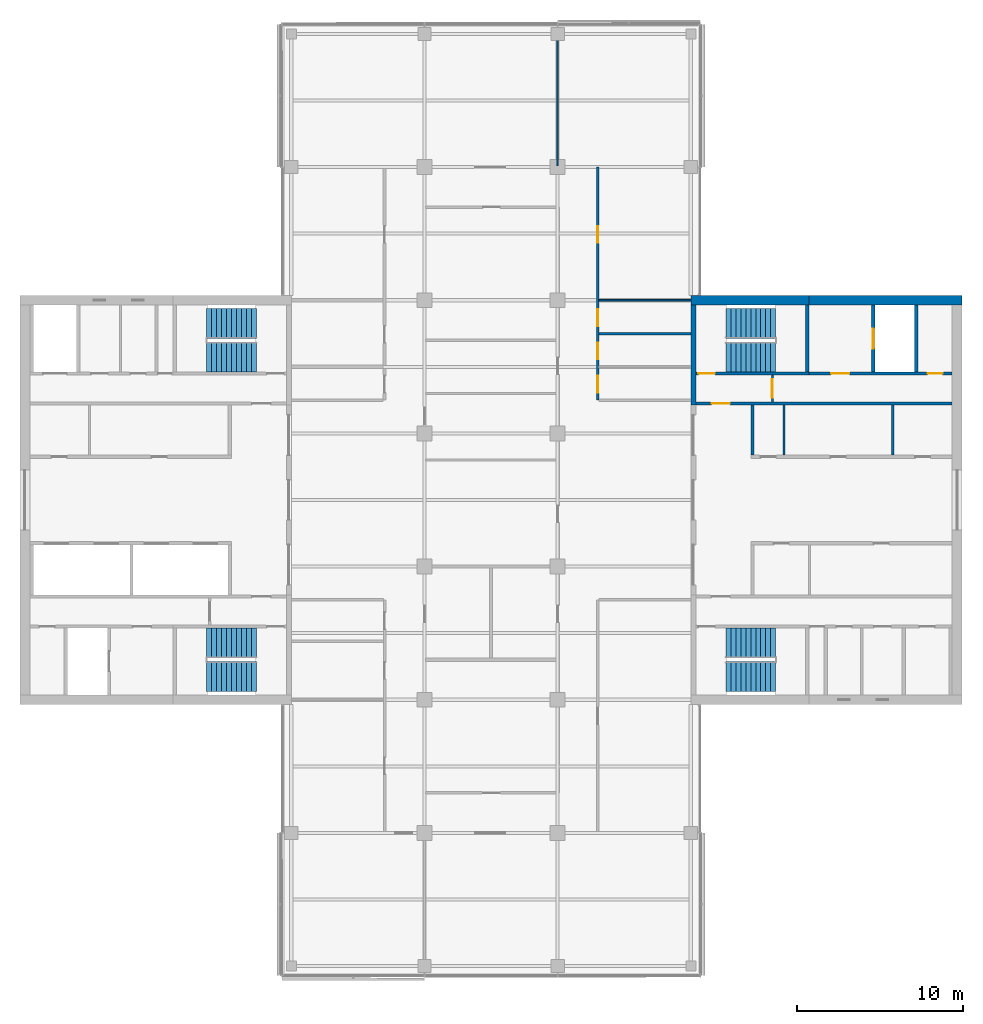
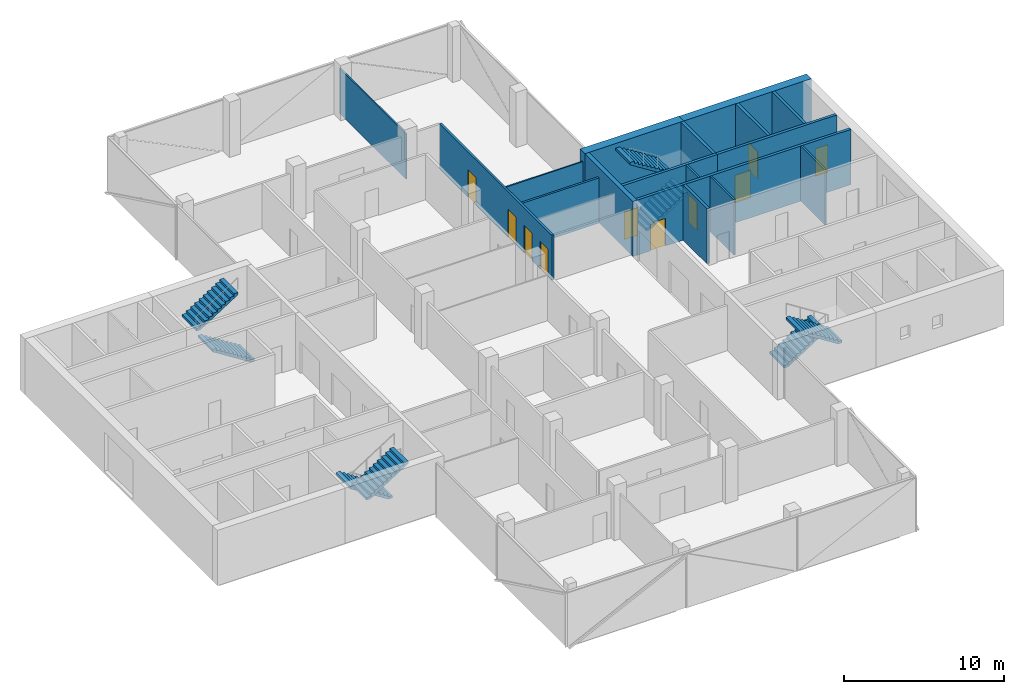
# One storey, part 12 of 15: 17 walls, 10 doors, 8 stair flights, 10 openings, 4 elements without a shape of their own.
"""IFC4 building model written with IfcOpenShell, lengths in metres."""

from ifc_helpers import new_model, si_unit, direction, frame, frame_2d, origin, place, context, subcontext, project, spatial, polyline, rectangle, outline, extrude, material, layer, layer_set, constituent, constituent_set, type_object, element, fill, aggregate, save


model = new_model("IFC4")

# Units and contexts
model_context = context("Model", 3, precision=1e-05, world=origin(), true_north=direction((0.0, 1.0)))
body_context = subcontext(model_context, "Body", "Model", "MODEL_VIEW")
ifc_project = project(units=[si_unit("LENGTHUNIT", "METRE"), si_unit("AREAUNIT", "SQUARE_METRE"), si_unit("VOLUMEUNIT", "CUBIC_METRE"), si_unit("PLANEANGLEUNIT", "RADIAN"), si_unit("MASSUNIT", "GRAM", prefix="KILO")], contexts=[model_context])

# Site, building, storey
site_placement = place(None, origin())
site = spatial("IfcSite", under=ifc_project, at=site_placement, CompositionType="ELEMENT")
building_placement = place(site_placement, origin())
building = spatial("IfcBuilding", under=site, at=building_placement, Name="Crosswind Convention Tower", CompositionType="ELEMENT")
storey_placement = place(building_placement, frame((0.0, 0.0, 225.10009765625)))
storey = spatial("IfcBuildingStorey", under=building, at=storey_placement, Name="L48", CompositionType="ELEMENT", Elevation=225.10009765625)

# Walls
ifc_material_1 = material(Name="Concrete C50/60", Category="concrete")
ifc_layer_1 = layer(ifc_material_1, 0.300048828125)
ifc_layer_set_1 = layer_set([ifc_layer_1], Name="Concrete C50/60")
wall_type_1 = type_object("IfcWallType", Name="Concrete inner core wall 300", PredefinedType="SHEAR", material=ifc_layer_set_1)
wall_1_placement = place(storey_placement, frame((137.14990234375, 105.699951171875, 0.0), z_axis=(0.0, 0.0, 1.0), x_axis=(0.0, 1.0, 0.0)))
element("IfcWall", 1, at=wall_1_placement, inside=storey, type_object=wall_type_1, Name="Wall EP E L48", PredefinedType="SHEAR", context=body_context, shape_type="SweptSolid", body=[
    extrude(rectangle(XDim=6.0, YDim=0.300048828125, at=frame_2d((3.0, 0.0))), origin(), (0.0, 0.0, 1.0), 4.199951171875),
])
ifc_layer_2 = layer(ifc_material_1, 0.199951171875)
ifc_layer_set_2 = layer_set([ifc_layer_2], Name="Concrete C50/60")
wall_type_2 = type_object("IfcWallType", Name="Concrete shaft and stair wall 200", PredefinedType="SHEAR", material=ifc_layer_set_2)
wall_2_placement = place(storey_placement, frame((140.699951171875, 102.699951171875, 0.0), z_axis=(0.0, 0.0, 1.0), x_axis=(0.0, 1.0, 0.0)))
element("IfcWall", 2, at=wall_2_placement, inside=storey, type_object=wall_type_2, Name="Wall RPEND E L48", PredefinedType="SHEAR", context=body_context, shape_type="SweptSolid", body=[
    extrude(rectangle(XDim=3.0, YDim=0.199951171875, at=frame_2d((1.5, 0.0))), origin(), (0.0, 0.0, 1.0), 4.199951171875),
])

# Wall, opening, door
wall_3_placement = place(storey_placement, frame((137.300048828125, 105.800048828125, 0.0), z_axis=(0.0, 0.0, 1.0), x_axis=(1.0, 0.0, 0.0)))
wall_3 = element("IfcWall", 3, at=wall_3_placement, inside=storey, type_object=wall_type_2, Name="Wall HP E L48", PredefinedType="SHEAR", context=body_context, shape_type="SweptSolid", body=[
    extrude(rectangle(XDim=15.39990234375, YDim=0.199951171875, at=frame_2d((7.699951171875, 0.0))), origin(), (0.0, 0.0, 1.0), 4.199951171875),
])
opening_1_placement = place(wall_3_placement, frame((0.949951171875, 0.0, 0.0)))
opening_1 = element("IfcOpeningElement", 4, at=opening_1_placement, cuts=wall_3, Name="Opening D104", PredefinedType="OPENING", context=body_context, shape_type="SweptSolid", body=[
    extrude(rectangle(XDim=1.10009765625, YDim=2.10009765625, at=frame_2d((0.550048828125, 1.050048828125))), frame((0.0, 0.10986328125, 0.0), z_axis=(0.0, -1.0, 0.0), x_axis=(1.0, 0.0, 0.0)), (0.0, 0.0, 1.0), 0.219970703125),
])
ifc_material_2 = material(Name="Steel fire door", Category="steel")
door_type_1 = type_object("IfcDoorType", Name="Fire-rated single door 1100x2100", OperationType="NOTDEFINED", PredefinedType="DOOR", material=ifc_material_2)
door_1_placement = place(opening_1_placement, origin())
door_1 = element("IfcDoor", 5, at=door_1_placement, inside=storey, type_object=door_type_1, Name="Corridor door L48", ObjectType="D104", OperationType="SINGLE_SWING_LEFT", OverallHeight=2.10009765625, OverallWidth=1.10009765625, PredefinedType="DOOR", context=body_context, shape_type="SweptSolid", body=[
    extrude(rectangle(XDim=1.10009765625, YDim=2.10009765625, at=frame_2d((0.550048828125, 1.050048828125))), frame((0.0, 0.02490234375, 0.0), z_axis=(0.0, -1.0, 0.0), x_axis=(1.0, 0.0, 0.0)), (0.0, 0.0, 1.0), 0.050048828125),
])
fill(opening_1, door_1)

# Wall
wall_4_placement = place(storey_placement, frame((144.0, 107.699951171875, 0.0), z_axis=(0.0, 0.0, 1.0), x_axis=(0.0, 1.0, 0.0)))
element("IfcWall", 6, at=wall_4_placement, inside=storey, type_object=wall_type_2, Name="Wall PSE E L48", PredefinedType="SHEAR", context=body_context, shape_type="SweptSolid", body=[
    extrude(rectangle(XDim=4.0, YDim=0.199951171875, at=frame_2d((2.0, 0.0))), origin(), (0.0, 0.0, 1.0), 4.199951171875),
])

# Wall, opening, door
wall_5_placement = place(storey_placement, frame((147.949951171875, 107.699951171875, 0.0), z_axis=(0.0, 0.0, 1.0), x_axis=(0.0, 1.0, 0.0)))
wall_5 = element("IfcWall", 7, at=wall_5_placement, inside=storey, type_object=wall_type_2, Name="Wall PFLW E L48", PredefinedType="SHEAR", context=body_context, shape_type="SweptSolid", body=[
    extrude(rectangle(XDim=4.0, YDim=0.199951171875, at=frame_2d((2.0, 0.0))), origin(), (0.0, 0.0, 1.0), 4.199951171875),
])
opening_2_placement = place(wall_5_placement, frame((1.39990234375, 0.0, 0.0)))
opening_2 = element("IfcOpeningElement", 8, at=opening_2_placement, cuts=wall_5, Name="Opening LD1", PredefinedType="OPENING", context=body_context, shape_type="SweptSolid", body=[
    extrude(rectangle(XDim=1.199951171875, YDim=2.10009765625, at=frame_2d((0.60009765625, 1.050048828125))), frame((0.0, 0.10986328125, 0.0), z_axis=(0.0, -1.0, 0.0), x_axis=(1.0, 0.0, 0.0)), (0.0, 0.0, 1.0), 0.219970703125),
])
ifc_material_3 = material(Name="Stainless steel", Category="steel")
door_type_2 = type_object("IfcDoorType", Name="Lift landing door 1200x2100", OperationType="DOUBLE_DOOR_SLIDING", PredefinedType="DOOR", material=ifc_material_3)
door_2_placement = place(opening_2_placement, origin())
door_2 = element("IfcDoor", 9, at=door_2_placement, inside=storey, type_object=door_type_2, Name="Landing door FF1 L48", ObjectType="LD1", OperationType="DOUBLE_DOOR_SLIDING", OverallHeight=2.10009765625, OverallWidth=1.199951171875, PredefinedType="DOOR", context=body_context, shape_type="SweptSolid", body=[
    extrude(rectangle(XDim=1.199951171875, YDim=2.10009765625, at=frame_2d((0.60009765625, 1.050048828125))), frame((0.0, 0.02490234375, 0.0), z_axis=(0.0, -1.0, 0.0), x_axis=(1.0, 0.0, 0.0)), (0.0, 0.0, 1.0), 0.050048828125),
])
fill(opening_2, door_2)

# Wall
wall_6_placement = place(storey_placement, frame((150.550048828125, 107.699951171875, 0.0), z_axis=(0.0, 0.0, 1.0), x_axis=(0.0, 1.0, 0.0)))
element("IfcWall", 10, at=wall_6_placement, inside=storey, type_object=wall_type_2, Name="Wall PFSE E L48", PredefinedType="SHEAR", context=body_context, shape_type="SweptSolid", body=[
    extrude(rectangle(XDim=4.0, YDim=0.199951171875, at=frame_2d((2.0, 0.0))), origin(), (0.0, 0.0, 1.0), 4.199951171875),
])

# Wall, opening, door
wall_7_placement = place(storey_placement, frame((137.300048828125, 107.60009765625, 0.0), z_axis=(0.0, 0.0, 1.0), x_axis=(1.0, 0.0, 0.0)))
wall_7 = element("IfcWall", 11, at=wall_7_placement, inside=storey, type_object=wall_type_2, Name="Wall PCW E L48", PredefinedType="SHEAR", context=body_context, shape_type="SweptSolid", body=[
    extrude(rectangle(XDim=6.800048828125, YDim=0.199951171875, at=frame_2d((3.39990234375, 0.0))), origin(), (0.0, 0.0, 1.0), 4.199951171875),
])
opening_3_placement = place(wall_7_placement, frame((0.14990234375, 0.0, 0.0)))
opening_3 = element("IfcOpeningElement", 12, at=opening_3_placement, cuts=wall_7, Name="Opening D103", PredefinedType="OPENING", context=body_context, shape_type="SweptSolid", body=[
    extrude(rectangle(XDim=1.0, YDim=2.10009765625, at=frame_2d((0.5, 1.050048828125))), frame((0.0, 0.10986328125, 0.0), z_axis=(0.0, -1.0, 0.0), x_axis=(1.0, 0.0, 0.0)), (0.0, 0.0, 1.0), 0.219970703125),
])
door_type_3 = type_object("IfcDoorType", Name="Fire-rated single door 1000x2100", OperationType="NOTDEFINED", PredefinedType="DOOR", material=ifc_material_2)
door_3_placement = place(opening_3_placement, origin())
door_3 = element("IfcDoor", 13, at=door_3_placement, inside=storey, type_object=door_type_3, Name="Stair ST1 door L48", ObjectType="D103", OperationType="SINGLE_SWING_LEFT", OverallHeight=2.10009765625, OverallWidth=1.0, PredefinedType="DOOR", context=body_context, shape_type="SweptSolid", body=[
    extrude(rectangle(XDim=1.0, YDim=2.10009765625, at=frame_2d((0.5, 1.050048828125))), frame((0.0, 0.02490234375, 0.0), z_axis=(0.0, -1.0, 0.0), x_axis=(1.0, 0.0, 0.0)), (0.0, 0.0, 1.0), 0.050048828125),
])
fill(opening_3, door_3)

# Wall, openings, doors
wall_8_placement = place(storey_placement, frame((144.10009765625, 107.60009765625, 0.0), z_axis=(0.0, 0.0, 1.0), x_axis=(1.0, 0.0, 0.0)))
wall_8 = element("IfcWall", 14, at=wall_8_placement, inside=storey, type_object=wall_type_2, Name="Wall PCX E L48", PredefinedType="SHEAR", context=body_context, shape_type="SweptSolid", body=[
    extrude(rectangle(XDim=8.599853515625, YDim=0.199951171875, at=frame_2d((4.2998046875, 0.0))), origin(), (0.0, 0.0, 1.0), 4.199951171875),
])
opening_4_placement = place(wall_8_placement, frame((1.324951171875, 0.0, 0.0)))
opening_4 = element("IfcOpeningElement", 15, at=opening_4_placement, cuts=wall_8, Name="Opening D104", PredefinedType="OPENING", context=body_context, shape_type="SweptSolid", body=[
    extrude(rectangle(XDim=1.10009765625, YDim=2.10009765625, at=frame_2d((0.550048828125, 1.050048828125))), frame((0.0, 0.10986328125, 0.0), z_axis=(0.0, -1.0, 0.0), x_axis=(1.0, 0.0, 0.0)), (0.0, 0.0, 1.0), 0.219970703125),
])
opening_5_placement = place(wall_8_placement, frame((7.125, 0.0, 0.0)))
opening_5 = element("IfcOpeningElement", 16, at=opening_5_placement, cuts=wall_8, Name="Opening D106", PredefinedType="OPENING", context=body_context, shape_type="SweptSolid", body=[
    extrude(rectangle(XDim=0.89990234375, YDim=2.10009765625, at=frame_2d((0.449951171875, 1.050048828125))), frame((0.0, 0.10986328125, 0.0), z_axis=(0.0, -1.0, 0.0), x_axis=(1.0, 0.0, 0.0)), (0.0, 0.0, 1.0), 0.219970703125),
])
door_4_placement = place(opening_4_placement, origin())
door_4 = element("IfcDoor", 17, at=door_4_placement, inside=storey, type_object=door_type_1, Name="Fire-fighting lobby FF1 door L48", ObjectType="D104", OperationType="SINGLE_SWING_RIGHT", OverallHeight=2.10009765625, OverallWidth=1.10009765625, PredefinedType="DOOR", context=body_context, shape_type="SweptSolid", body=[
    extrude(rectangle(XDim=1.10009765625, YDim=2.10009765625, at=frame_2d((0.550048828125, 1.050048828125))), frame((0.0, 0.02490234375, 0.0), z_axis=(0.0, -1.0, 0.0), x_axis=(1.0, 0.0, 0.0)), (0.0, 0.0, 1.0), 0.050048828125),
])
fill(opening_4, door_4)
ifc_material_4 = material(Name="Timber door", Category="wood")
door_type_4 = type_object("IfcDoorType", Name="Single leaf door 900x2100", OperationType="NOTDEFINED", PredefinedType="DOOR", material=ifc_material_4)
door_5_placement = place(opening_5_placement, origin())
door_5 = element("IfcDoor", 18, at=door_5_placement, inside=storey, type_object=door_type_4, Name="Door to cleaners' store L48", ObjectType="D106", OperationType="SINGLE_SWING_RIGHT", OverallHeight=2.10009765625, OverallWidth=0.89990234375, PredefinedType="DOOR", context=body_context, shape_type="SweptSolid", body=[
    extrude(rectangle(XDim=0.89990234375, YDim=2.10009765625, at=frame_2d((0.449951171875, 1.050048828125))), frame((0.0, 0.02490234375, 0.0), z_axis=(0.0, -1.0, 0.0), x_axis=(1.0, 0.0, 0.0)), (0.0, 0.0, 1.0), 0.050048828125),
])
fill(opening_5, door_5)

# Walls
ifc_material_5 = material(Name="Gypsum plasterboard partition", Category="gypsum")
ifc_layer_3 = layer(ifc_material_5, 0.125)
ifc_layer_set_3 = layer_set([ifc_layer_3], Name="Drywall partition wall 125")
wall_type_3 = type_object("IfcWallType", Name="Drywall partition wall 125", PredefinedType="PARTITIONING", material=ifc_layer_set_3)
for number, where, z_axis, x_axis, name in (
    (19, (142.5849609375, 102.699951171875, 0.0), (0.0, 0.0, 1.0), (0.0, 1.0, 0.0), "Wall RPP1 E L48"),
    (20, (149.1298828125, 102.699951171875, 0.0), (0.0, 0.0, 1.0), (0.0, 1.0, 0.0), "Wall RPP2 E L48"),
):
    element("IfcWall", number, at=place(storey_placement, frame(where, z_axis=z_axis, x_axis=x_axis)), inside=storey, type_object=wall_type_3, Name=name, PredefinedType="PARTITIONING", context=body_context, shape_type="SweptSolid", body=[
        extrude(rectangle(XDim=3.0, YDim=0.125, at=frame_2d((1.5, 0.0))), origin(), (0.0, 0.0, 1.0), 4.199951171875),
    ])

# Wall, opening, door
wall_9_placement = place(storey_placement, frame((141.89990234375, 105.89990234375, 0.0), z_axis=(0.0, 0.0, 1.0), x_axis=(0.0, 1.0, 0.0)))
wall_9 = element("IfcWall", 21, at=wall_9_placement, inside=storey, type_object=wall_type_3, Name="Wall PXC1 E L48", PredefinedType="PARTITIONING", context=body_context, shape_type="SweptSolid", body=[
    extrude(rectangle(XDim=1.60009765625, YDim=0.125, at=frame_2d((0.800048828125, 0.0))), origin(), (0.0, 0.0, 1.0), 4.199951171875),
])
opening_6_placement = place(wall_9_placement, frame((0.25, 0.0, 0.0)))
opening_6 = element("IfcOpeningElement", 22, at=opening_6_placement, cuts=wall_9, Name="Opening D104", PredefinedType="OPENING", context=body_context, shape_type="SweptSolid", body=[
    extrude(rectangle(XDim=1.10009765625, YDim=2.10009765625, at=frame_2d((0.550048828125, 1.050048828125))), frame((0.0, 0.072509765625, 0.0), z_axis=(0.0, -1.0, 0.0), x_axis=(1.0, 0.0, 0.0)), (0.0, 0.0, 1.0), 0.14501953125),
])
door_6_placement = place(opening_6_placement, origin())
door_6 = element("IfcDoor", 23, at=door_6_placement, inside=storey, type_object=door_type_1, Name="Corridor smoke door L48", ObjectType="D104", OperationType="SINGLE_SWING_RIGHT", OverallHeight=2.10009765625, OverallWidth=1.10009765625, PredefinedType="DOOR", context=body_context, shape_type="SweptSolid", body=[
    extrude(rectangle(XDim=1.10009765625, YDim=2.10009765625, at=frame_2d((0.550048828125, 1.050048828125))), frame((0.0, 0.02490234375, 0.0), z_axis=(0.0, -1.0, 0.0), x_axis=(1.0, 0.0, 0.0)), (0.0, 0.0, 1.0), 0.050048828125),
])
fill(opening_6, door_6)

# Walls
ifc_material_6 = material(Name="Plasterboard partition", Category="gypsum")
ifc_layer_4 = layer(ifc_material_6, 0.10009765625)
ifc_layer_set_4 = layer_set([ifc_layer_4], Name="PARTITION 100 METAL STUD")
wall_type_4 = type_object("IfcWallType", Name="PARTITION 100 METAL STUD", PredefinedType="PARTITIONING", material=ifc_layer_set_4)
wall_10_placement = place(storey_placement, frame((129.0, 120.074951171875, 0.0), z_axis=(0.0, 0.0, 1.0), x_axis=(0.0, 1.0, 0.0)))
element("IfcWall", 24, at=wall_10_placement, inside=storey, type_object=wall_type_4, Name="Partition wall WT40", PredefinedType="PARTITIONING", context=body_context, shape_type="SweptSolid", body=[
    extrude(rectangle(XDim=8.295166015625, YDim=0.10009765625, at=frame_2d((4.1474609375, 0.0))), origin(), (0.0, 0.0, 1.0), 3.439697265625),
])
wall_11_placement = place(storey_placement, frame((131.47509765625, 112.0, 0.0), z_axis=(0.0, 0.0, 1.0), x_axis=(1.0, 0.0, 0.0)))
element("IfcWall", 25, at=wall_11_placement, inside=storey, type_object=wall_type_4, Name="Partition wall WT40", PredefinedType="PARTITIONING", context=body_context, shape_type="SweptSolid", body=[
    extrude(rectangle(XDim=5.52490234375, YDim=0.10009765625, at=frame_2d((2.762451171875, 0.0))), origin(), (0.0, 0.0, 1.0), 3.439697265625),
])

# Wall, openings, doors
ifc_material_7 = material(Name="Fire-board partition with mineral wool", Category="gypsum")
ifc_layer_5 = layer(ifc_material_7, 0.14990234375)
ifc_layer_set_5 = layer_set([ifc_layer_5], Name="TENANCY WALL 150 TWO-HOUR BOARD")
wall_type_5 = type_object("IfcWallType", Name="TENANCY WALL 150 TWO-HOUR BOARD", PredefinedType="PARTITIONING", material=ifc_layer_set_5)
wall_12_placement = place(storey_placement, frame((131.39990234375, 106.0, 0.0), z_axis=(0.0, 0.0, 1.0), x_axis=(0.0, 1.0, 0.0)))
wall_12 = element("IfcWall", 26, at=wall_12_placement, inside=storey, type_object=wall_type_5, Name="Tenancy wall WT41", PredefinedType="PARTITIONING", context=body_context, shape_type="SweptSolid", body=[
    extrude(rectangle(XDim=14.0, YDim=0.14990234375, at=frame_2d((7.0, 0.0))), origin(), (0.0, 0.0, 1.0), 3.439697265625),
])
opening_7_placement = place(wall_12_placement, frame((0.449951171875, 0.0, 0.0)))
opening_7 = element("IfcOpeningElement", 27, at=opening_7_placement, cuts=wall_12, Name="Opening L48-50", PredefinedType="OPENING", context=body_context, shape_type="SweptSolid", body=[
    extrude(rectangle(XDim=1.0, YDim=2.10009765625, at=frame_2d((0.5, 1.050048828125))), frame((0.0, 0.0849609375, 0.0), z_axis=(0.0, -1.0, 0.0), x_axis=(1.0, 0.0, 0.0)), (0.0, 0.0, 1.0), 0.169921875),
])
opening_8_placement = place(wall_12_placement, frame((2.449951171875, 0.0, 0.0)))
opening_8 = element("IfcOpeningElement", 28, at=opening_8_placement, cuts=wall_12, Name="Opening L48-51", PredefinedType="OPENING", context=body_context, shape_type="SweptSolid", body=[
    extrude(rectangle(XDim=1.0, YDim=2.10009765625, at=frame_2d((0.5, 1.050048828125))), frame((0.0, 0.0849609375, 0.0), z_axis=(0.0, -1.0, 0.0), x_axis=(1.0, 0.0, 0.0)), (0.0, 0.0, 1.0), 0.169921875),
])
opening_9_placement = place(wall_12_placement, frame((4.449951171875, 0.0, 0.0)))
opening_9 = element("IfcOpeningElement", 29, at=opening_9_placement, cuts=wall_12, Name="Opening L48-52", PredefinedType="OPENING", context=body_context, shape_type="SweptSolid", body=[
    extrude(rectangle(XDim=1.0, YDim=2.10009765625, at=frame_2d((0.5, 1.050048828125))), frame((0.0, 0.0849609375, 0.0), z_axis=(0.0, -1.0, 0.0), x_axis=(1.0, 0.0, 0.0)), (0.0, 0.0, 1.0), 0.169921875),
])
opening_10_placement = place(wall_12_placement, frame((9.449951171875, 0.0, 0.0)))
opening_10 = element("IfcOpeningElement", 30, at=opening_10_placement, cuts=wall_12, Name="Opening L48-53", PredefinedType="OPENING", context=body_context, shape_type="SweptSolid", body=[
    extrude(rectangle(XDim=1.0, YDim=2.10009765625, at=frame_2d((0.5, 1.050048828125))), frame((0.0, 0.0849609375, 0.0), z_axis=(0.0, -1.0, 0.0), x_axis=(1.0, 0.0, 0.0)), (0.0, 0.0, 1.0), 0.169921875),
])
ifc_material_8 = material(Name="Timber fire door", Category="wood")
door_type_5 = type_object("IfcDoorType", Name="TENANCY ENTRANCE DOOR 1000X2100 FD30S", OperationType="NOTDEFINED", PredefinedType="DOOR", material=ifc_material_8)
door_7_placement = place(opening_7_placement, frame((1.0, 0.0, 0.0), z_axis=(0.0, 0.0, 1.0), x_axis=(-1.0, 0.0, 0.0)))
door_7 = element("IfcDoor", 31, at=door_7_placement, inside=storey, type_object=door_type_5, Name="Door L48-50", ObjectType="D41", OperationType="SINGLE_SWING_RIGHT", OverallHeight=2.10009765625, OverallWidth=1.0, PredefinedType="DOOR", context=body_context, shape_type="SweptSolid", body=[
    extrude(rectangle(XDim=1.0, YDim=2.10009765625, at=frame_2d((0.5, 1.050048828125))), frame((0.0, 0.02490234375, 0.0), z_axis=(0.0, -1.0, 0.0), x_axis=(1.0, 0.0, 0.0)), (0.0, 0.0, 1.0), 0.050048828125),
])
fill(opening_7, door_7)
door_8_placement = place(opening_8_placement, frame((1.0, 0.0, 0.0), z_axis=(0.0, 0.0, 1.0), x_axis=(-1.0, 0.0, 0.0)))
door_8 = element("IfcDoor", 32, at=door_8_placement, inside=storey, type_object=door_type_5, Name="Door L48-51", ObjectType="D41", OperationType="SINGLE_SWING_RIGHT", OverallHeight=2.10009765625, OverallWidth=1.0, PredefinedType="DOOR", context=body_context, shape_type="SweptSolid", body=[
    extrude(rectangle(XDim=1.0, YDim=2.10009765625, at=frame_2d((0.5, 1.050048828125))), frame((0.0, 0.02490234375, 0.0), z_axis=(0.0, -1.0, 0.0), x_axis=(1.0, 0.0, 0.0)), (0.0, 0.0, 1.0), 0.050048828125),
])
fill(opening_8, door_8)
door_9_placement = place(opening_9_placement, frame((1.0, 0.0, 0.0), z_axis=(0.0, 0.0, 1.0), x_axis=(-1.0, 0.0, 0.0)))
door_9 = element("IfcDoor", 33, at=door_9_placement, inside=storey, type_object=door_type_5, Name="Door L48-52", ObjectType="D41", OperationType="SINGLE_SWING_RIGHT", OverallHeight=2.10009765625, OverallWidth=1.0, PredefinedType="DOOR", context=body_context, shape_type="SweptSolid", body=[
    extrude(rectangle(XDim=1.0, YDim=2.10009765625, at=frame_2d((0.5, 1.050048828125))), frame((0.0, 0.02490234375, 0.0), z_axis=(0.0, -1.0, 0.0), x_axis=(1.0, 0.0, 0.0)), (0.0, 0.0, 1.0), 0.050048828125),
])
fill(opening_9, door_9)
door_10_placement = place(opening_10_placement, frame((1.0, 0.0, 0.0), z_axis=(0.0, 0.0, 1.0), x_axis=(-1.0, 0.0, 0.0)))
door_10 = element("IfcDoor", 34, at=door_10_placement, inside=storey, type_object=door_type_5, Name="Door L48-53", ObjectType="D41", OperationType="SINGLE_SWING_RIGHT", OverallHeight=2.10009765625, OverallWidth=1.0, PredefinedType="DOOR", context=body_context, shape_type="SweptSolid", body=[
    extrude(rectangle(XDim=1.0, YDim=2.10009765625, at=frame_2d((0.5, 1.050048828125))), frame((0.0, 0.02490234375, 0.0), z_axis=(0.0, -1.0, 0.0), x_axis=(1.0, 0.0, 0.0)), (0.0, 0.0, 1.0), 0.050048828125),
])
fill(opening_10, door_10)

# Walls
wall_13_placement = place(storey_placement, frame((131.47509765625, 110.0, 0.0), z_axis=(0.0, 0.0, 1.0), x_axis=(1.0, 0.0, 0.0)))
element("IfcWall", 35, at=wall_13_placement, inside=storey, type_object=wall_type_5, Name="Tenancy wall WT41", PredefinedType="PARTITIONING", context=body_context, shape_type="SweptSolid", body=[
    extrude(rectangle(XDim=5.52490234375, YDim=0.14990234375, at=frame_2d((2.762451171875, 0.0))), origin(), (0.0, 0.0, 1.0), 3.439697265625),
])
ifc_material_9 = material(Name="Concrete C60/75", Category="concrete")
ifc_constituent_1 = constituent(ifc_material_9, Name="Structure")
ifc_material_10 = material(Name="Terracotta rainscreen", Category="ceramic")
ifc_constituent_2 = constituent(ifc_material_10, Name="Facing")
ifc_constituent_set = constituent_set(constituents=[ifc_constituent_1, ifc_constituent_2], Name="Concrete C60/75, Terracotta rainscreen")
wall_type_6 = type_object("IfcWallType", Name="Terracotta rainscreen on concrete core wall 600", PredefinedType="SHEAR", material=ifc_constituent_set)
wall_14_placement = place(storey_placement, frame((137.0, 112.0, 0.0), z_axis=(0.0, 0.0, 1.0), x_axis=(1.0, 0.0, 0.0)))
element("IfcWall", 36, at=wall_14_placement, inside=storey, type_object=wall_type_6, Name="Wall N1 E L48", PredefinedType="SHEAR", context=body_context, shape_type="SweptSolid", body=[
    extrude(rectangle(XDim=7.10009765625, YDim=0.60009765625, at=frame_2d((3.550048828125, 0.0))), origin(), (0.0, 0.0, 1.0), 4.199951171875),
])
wall_15_placement = place(storey_placement, frame((144.10009765625, 112.0, 0.0), z_axis=(0.0, 0.0, 1.0), x_axis=(1.0, 0.0, 0.0)))
element("IfcWall", 37, at=wall_15_placement, inside=storey, type_object=wall_type_6, Name="Wall N2 E L48", PredefinedType="SHEAR", context=body_context, shape_type="SweptSolid", body=[
    extrude(rectangle(XDim=9.199951171875, YDim=0.60009765625, at=frame_2d((4.60009765625, 0.0))), origin(), (0.0, 0.0, 1.0), 4.199951171875),
])

# Stair, stair flights
ifc_material_11 = material(Name="Concrete C40/50", Category="concrete")
stair_type = type_object("IfcStairType", Name="Exit stair 1800 wide, 2 flights of 11 risers", PredefinedType="HALF_TURN_STAIR", material=ifc_material_11)
stair_1_placement = place(storey_placement, origin())
stair_1 = element("IfcStair", 38, at=stair_1_placement, inside=storey, type_object=stair_type, Name="Exit stair ST1 L48", ObjectType="ST5", PredefinedType="HALF_TURN_STAIR")
stair_flight_type = type_object("IfcStairFlightType", Name="Stair flight 1800 wide, 11 risers (SF4)", PredefinedType="STRAIGHT", material=ifc_material_11)
stair_flight_1_placement = place(storey_placement, frame((139.10009765625, 108.60009765625, 0.0), z_axis=(0.0, 0.0, 1.0), x_axis=(1.0, 0.0, 0.0)))
stair_flight_1 = element("IfcStairFlight", 39, at=stair_flight_1_placement, type_object=stair_flight_type, Name="ST1 flight 1", NumberOfRisers=11, NumberOfTreads=10, PredefinedType="STRAIGHT", RiserHeight=0.190909091, TreadLength=0.3, context=body_context, shape_type="SweptSolid", body=[
    extrude(outline(polyline([(0.0, 0.0), (0.0, 0.19091796875), (0.300048828125, 0.19091796875), (0.300048828125, 0.3818359375), (0.60009765625, 0.3818359375), (0.60009765625, 0.57275390625), (0.89990234375, 0.57275390625), (0.89990234375, 0.763671875), (1.199951171875, 0.763671875), (1.199951171875, 0.95458984375), (1.5, 0.95458984375), (1.5, 1.1455078125), (1.800048828125, 1.1455078125), (1.800048828125, 1.33642578125), (2.10009765625, 1.33642578125), (2.10009765625, 1.52734375), (2.39990234375, 1.52734375), (2.39990234375, 1.71826171875), (2.699951171875, 1.71826171875), (2.699951171875, 1.9091796875), (3.0, 1.9091796875), (3.0, 2.10009765625), (3.0, 1.7314453125), (0.279296875, 0.0), (0.0, 0.0)])), frame((0.0, 0.89990234375, 0.0), z_axis=(0.0, -1.0, 0.0), x_axis=(1.0, 0.0, 0.0)), (0.0, 0.0, 1.0), 1.800048828125),
])
stair_flight_2_placement = place(storey_placement, frame((142.10009765625, 110.60009765625, 2.099853515625), z_axis=(0.0, 0.0, 1.0), x_axis=(-1.0, 0.0, 0.0)))
stair_flight_2 = element("IfcStairFlight", 40, at=stair_flight_2_placement, type_object=stair_flight_type, Name="ST1 flight 2", NumberOfRisers=11, NumberOfTreads=10, PredefinedType="STRAIGHT", RiserHeight=0.190909091, TreadLength=0.3, context=body_context, shape_type="SweptSolid", body=[
    extrude(outline(polyline([(0.0, 0.0), (0.0, 0.19091796875), (0.300048828125, 0.19091796875), (0.300048828125, 0.3818359375), (0.60009765625, 0.3818359375), (0.60009765625, 0.57275390625), (0.89990234375, 0.57275390625), (0.89990234375, 0.763671875), (1.199951171875, 0.763671875), (1.199951171875, 0.95458984375), (1.5, 0.95458984375), (1.5, 1.1455078125), (1.800048828125, 1.1455078125), (1.800048828125, 1.33642578125), (2.10009765625, 1.33642578125), (2.10009765625, 1.52734375), (2.39990234375, 1.52734375), (2.39990234375, 1.71826171875), (2.699951171875, 1.71826171875), (2.699951171875, 1.9091796875), (3.0, 1.9091796875), (3.0, 2.10009765625), (3.0, 1.7314453125), (0.279296875, 0.0), (0.0, 0.0)])), frame((0.0, 0.89990234375, 0.0), z_axis=(0.0, -1.0, 0.0), x_axis=(1.0, 0.0, 0.0)), (0.0, 0.0, 1.0), 1.800048828125),
])
aggregate(stair_1, [stair_flight_1, stair_flight_2])

stair_2_placement = place(storey_placement, origin())
stair_2 = element("IfcStair", 41, at=stair_2_placement, inside=storey, type_object=stair_type, Name="Exit stair ST2 L48", ObjectType="ST5", PredefinedType="HALF_TURN_STAIR")
stair_flight_3_placement = place(storey_placement, frame((139.10009765625, 91.39990234375, 0.0), z_axis=(0.0, 0.0, 1.0), x_axis=(1.0, 0.0, 0.0)))
stair_flight_3 = element("IfcStairFlight", 42, at=stair_flight_3_placement, type_object=stair_flight_type, Name="ST2 flight 1", NumberOfRisers=11, NumberOfTreads=10, PredefinedType="STRAIGHT", RiserHeight=0.190909091, TreadLength=0.3, context=body_context, shape_type="SweptSolid", body=[
    extrude(outline(polyline([(0.0, 0.0), (0.0, 0.19091796875), (0.300048828125, 0.19091796875), (0.300048828125, 0.3818359375), (0.60009765625, 0.3818359375), (0.60009765625, 0.57275390625), (0.89990234375, 0.57275390625), (0.89990234375, 0.763671875), (1.199951171875, 0.763671875), (1.199951171875, 0.95458984375), (1.5, 0.95458984375), (1.5, 1.1455078125), (1.800048828125, 1.1455078125), (1.800048828125, 1.33642578125), (2.10009765625, 1.33642578125), (2.10009765625, 1.52734375), (2.39990234375, 1.52734375), (2.39990234375, 1.71826171875), (2.699951171875, 1.71826171875), (2.699951171875, 1.9091796875), (3.0, 1.9091796875), (3.0, 2.10009765625), (3.0, 1.7314453125), (0.279296875, 0.0), (0.0, 0.0)])), frame((0.0, 0.89990234375, 0.0), z_axis=(0.0, -1.0, 0.0), x_axis=(1.0, 0.0, 0.0)), (0.0, 0.0, 1.0), 1.800048828125),
])
stair_flight_4_placement = place(storey_placement, frame((142.10009765625, 89.39990234375, 2.099853515625), z_axis=(0.0, 0.0, 1.0), x_axis=(-1.0, 0.0, 0.0)))
stair_flight_4 = element("IfcStairFlight", 43, at=stair_flight_4_placement, type_object=stair_flight_type, Name="ST2 flight 2", NumberOfRisers=11, NumberOfTreads=10, PredefinedType="STRAIGHT", RiserHeight=0.190909091, TreadLength=0.3, context=body_context, shape_type="SweptSolid", body=[
    extrude(outline(polyline([(0.0, 0.0), (0.0, 0.19091796875), (0.300048828125, 0.19091796875), (0.300048828125, 0.3818359375), (0.60009765625, 0.3818359375), (0.60009765625, 0.57275390625), (0.89990234375, 0.57275390625), (0.89990234375, 0.763671875), (1.199951171875, 0.763671875), (1.199951171875, 0.95458984375), (1.5, 0.95458984375), (1.5, 1.1455078125), (1.800048828125, 1.1455078125), (1.800048828125, 1.33642578125), (2.10009765625, 1.33642578125), (2.10009765625, 1.52734375), (2.39990234375, 1.52734375), (2.39990234375, 1.71826171875), (2.699951171875, 1.71826171875), (2.699951171875, 1.9091796875), (3.0, 1.9091796875), (3.0, 2.10009765625), (3.0, 1.7314453125), (0.279296875, 0.0), (0.0, 0.0)])), frame((0.0, 0.89990234375, 0.0), z_axis=(0.0, -1.0, 0.0), x_axis=(1.0, 0.0, 0.0)), (0.0, 0.0, 1.0), 1.800048828125),
])
aggregate(stair_2, [stair_flight_3, stair_flight_4])

stair_3_placement = place(storey_placement, origin())
stair_3 = element("IfcStair", 44, at=stair_3_placement, inside=storey, type_object=stair_type, Name="Exit stair ST3 L48", ObjectType="ST5", PredefinedType="HALF_TURN_STAIR")
stair_flight_5_placement = place(storey_placement, frame((110.89990234375, 91.39990234375, 0.0), z_axis=(0.0, 0.0, 1.0), x_axis=(-1.0, 0.0, 0.0)))
stair_flight_5 = element("IfcStairFlight", 45, at=stair_flight_5_placement, type_object=stair_flight_type, Name="ST3 flight 1", NumberOfRisers=11, NumberOfTreads=10, PredefinedType="STRAIGHT", RiserHeight=0.190909091, TreadLength=0.3, context=body_context, shape_type="SweptSolid", body=[
    extrude(outline(polyline([(0.0, 0.0), (0.0, 0.19091796875), (0.300048828125, 0.19091796875), (0.300048828125, 0.3818359375), (0.60009765625, 0.3818359375), (0.60009765625, 0.57275390625), (0.89990234375, 0.57275390625), (0.89990234375, 0.763671875), (1.199951171875, 0.763671875), (1.199951171875, 0.95458984375), (1.5, 0.95458984375), (1.5, 1.1455078125), (1.800048828125, 1.1455078125), (1.800048828125, 1.33642578125), (2.10009765625, 1.33642578125), (2.10009765625, 1.52734375), (2.39990234375, 1.52734375), (2.39990234375, 1.71826171875), (2.699951171875, 1.71826171875), (2.699951171875, 1.9091796875), (3.0, 1.9091796875), (3.0, 2.10009765625), (3.0, 1.7314453125), (0.279296875, 0.0), (0.0, 0.0)])), frame((0.0, 0.89990234375, 0.0), z_axis=(0.0, -1.0, 0.0), x_axis=(1.0, 0.0, 0.0)), (0.0, 0.0, 1.0), 1.800048828125),
])
stair_flight_6_placement = place(storey_placement, frame((107.89990234375, 89.39990234375, 2.099853515625), z_axis=(0.0, 0.0, 1.0), x_axis=(1.0, 0.0, 0.0)))
stair_flight_6 = element("IfcStairFlight", 46, at=stair_flight_6_placement, type_object=stair_flight_type, Name="ST3 flight 2", NumberOfRisers=11, NumberOfTreads=10, PredefinedType="STRAIGHT", RiserHeight=0.190909091, TreadLength=0.3, context=body_context, shape_type="SweptSolid", body=[
    extrude(outline(polyline([(0.0, 0.0), (0.0, 0.19091796875), (0.300048828125, 0.19091796875), (0.300048828125, 0.3818359375), (0.60009765625, 0.3818359375), (0.60009765625, 0.57275390625), (0.89990234375, 0.57275390625), (0.89990234375, 0.763671875), (1.199951171875, 0.763671875), (1.199951171875, 0.95458984375), (1.5, 0.95458984375), (1.5, 1.1455078125), (1.800048828125, 1.1455078125), (1.800048828125, 1.33642578125), (2.10009765625, 1.33642578125), (2.10009765625, 1.52734375), (2.39990234375, 1.52734375), (2.39990234375, 1.71826171875), (2.699951171875, 1.71826171875), (2.699951171875, 1.9091796875), (3.0, 1.9091796875), (3.0, 2.10009765625), (3.0, 1.7314453125), (0.279296875, 0.0), (0.0, 0.0)])), frame((0.0, 0.89990234375, 0.0), z_axis=(0.0, -1.0, 0.0), x_axis=(1.0, 0.0, 0.0)), (0.0, 0.0, 1.0), 1.800048828125),
])
aggregate(stair_3, [stair_flight_5, stair_flight_6])

stair_4_placement = place(storey_placement, origin())
stair_4 = element("IfcStair", 47, at=stair_4_placement, inside=storey, type_object=stair_type, Name="Exit stair ST4 L48", ObjectType="ST5", PredefinedType="HALF_TURN_STAIR")
stair_flight_7_placement = place(storey_placement, frame((110.89990234375, 108.60009765625, 0.0), z_axis=(0.0, 0.0, 1.0), x_axis=(-1.0, 0.0, 0.0)))
stair_flight_7 = element("IfcStairFlight", 48, at=stair_flight_7_placement, type_object=stair_flight_type, Name="ST4 flight 1", NumberOfRisers=11, NumberOfTreads=10, PredefinedType="STRAIGHT", RiserHeight=0.190909091, TreadLength=0.3, context=body_context, shape_type="SweptSolid", body=[
    extrude(outline(polyline([(0.0, 0.0), (0.0, 0.19091796875), (0.300048828125, 0.19091796875), (0.300048828125, 0.3818359375), (0.60009765625, 0.3818359375), (0.60009765625, 0.57275390625), (0.89990234375, 0.57275390625), (0.89990234375, 0.763671875), (1.199951171875, 0.763671875), (1.199951171875, 0.95458984375), (1.5, 0.95458984375), (1.5, 1.1455078125), (1.800048828125, 1.1455078125), (1.800048828125, 1.33642578125), (2.10009765625, 1.33642578125), (2.10009765625, 1.52734375), (2.39990234375, 1.52734375), (2.39990234375, 1.71826171875), (2.699951171875, 1.71826171875), (2.699951171875, 1.9091796875), (3.0, 1.9091796875), (3.0, 2.10009765625), (3.0, 1.7314453125), (0.279296875, 0.0), (0.0, 0.0)])), frame((0.0, 0.89990234375, 0.0), z_axis=(0.0, -1.0, 0.0), x_axis=(1.0, 0.0, 0.0)), (0.0, 0.0, 1.0), 1.800048828125),
])
stair_flight_8_placement = place(storey_placement, frame((107.89990234375, 110.60009765625, 2.099853515625), z_axis=(0.0, 0.0, 1.0), x_axis=(1.0, 0.0, 0.0)))
stair_flight_8 = element("IfcStairFlight", 49, at=stair_flight_8_placement, type_object=stair_flight_type, Name="ST4 flight 2", NumberOfRisers=11, NumberOfTreads=10, PredefinedType="STRAIGHT", RiserHeight=0.190909091, TreadLength=0.3, context=body_context, shape_type="SweptSolid", body=[
    extrude(outline(polyline([(0.0, 0.0), (0.0, 0.19091796875), (0.300048828125, 0.19091796875), (0.300048828125, 0.3818359375), (0.60009765625, 0.3818359375), (0.60009765625, 0.57275390625), (0.89990234375, 0.57275390625), (0.89990234375, 0.763671875), (1.199951171875, 0.763671875), (1.199951171875, 0.95458984375), (1.5, 0.95458984375), (1.5, 1.1455078125), (1.800048828125, 1.1455078125), (1.800048828125, 1.33642578125), (2.10009765625, 1.33642578125), (2.10009765625, 1.52734375), (2.39990234375, 1.52734375), (2.39990234375, 1.71826171875), (2.699951171875, 1.71826171875), (2.699951171875, 1.9091796875), (3.0, 1.9091796875), (3.0, 2.10009765625), (3.0, 1.7314453125), (0.279296875, 0.0), (0.0, 0.0)])), frame((0.0, 0.89990234375, 0.0), z_axis=(0.0, -1.0, 0.0), x_axis=(1.0, 0.0, 0.0)), (0.0, 0.0, 1.0), 1.800048828125),
])
aggregate(stair_4, [stair_flight_7, stair_flight_8])

save(model, "model.ifc")
